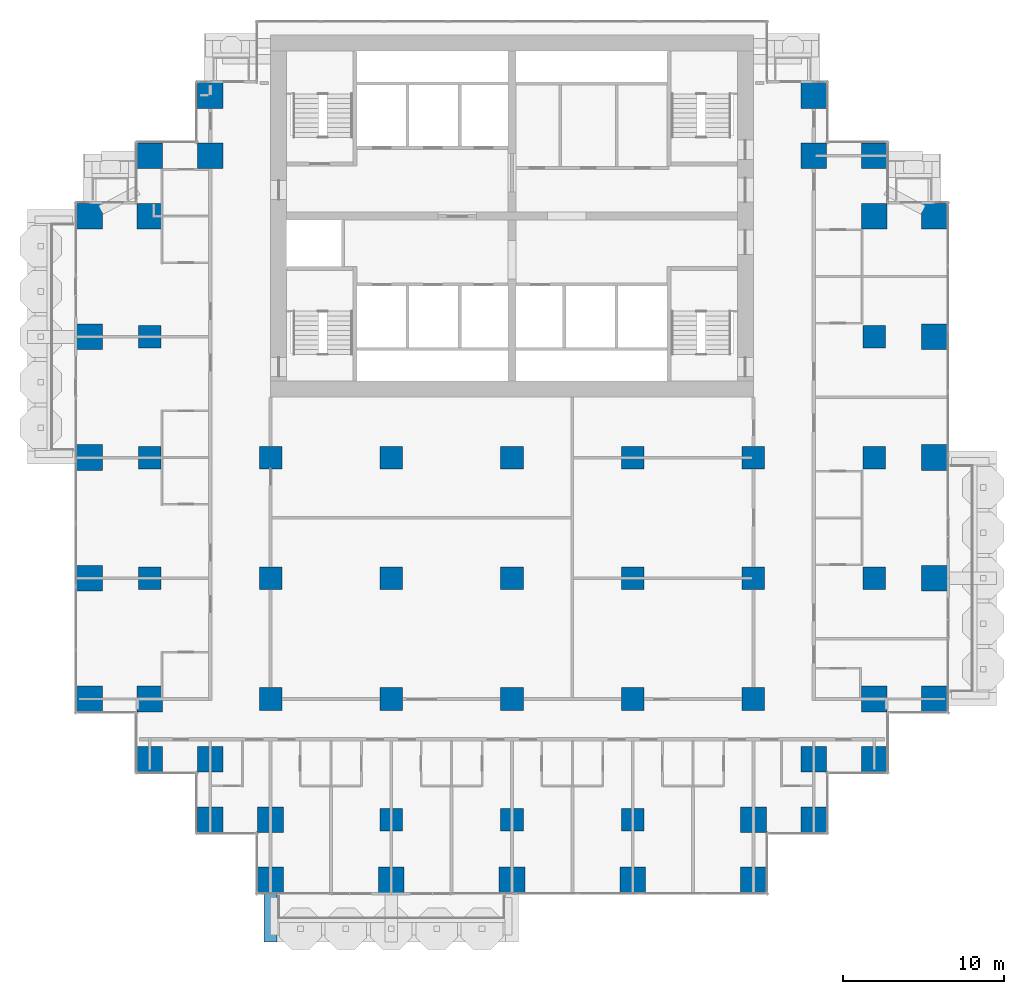
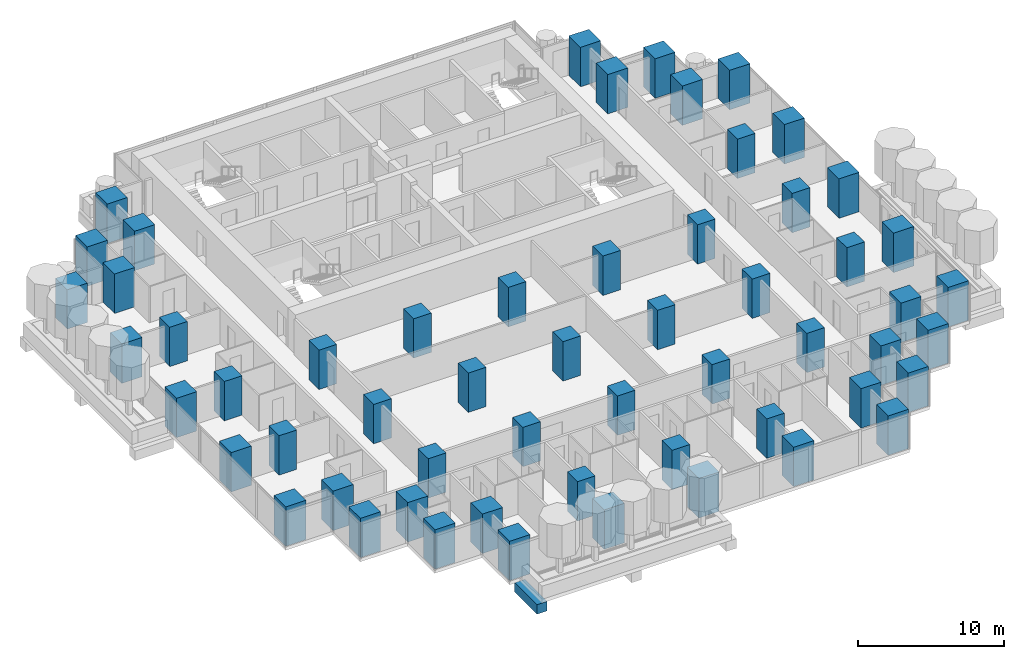
# One storey, part 1 of 17: 57 columns, 1 beam.
"""IFC4 building model written with IfcOpenShell, lengths in metres."""

from ifc_helpers import new_model, si_unit, direction, frame, origin, origin_2d, place, context, subcontext, project, spatial, rectangle, extrude, material, material_profile, profile_set, type_object, element, save


model = new_model("IFC4")

# Units and contexts
model_context = context("Model", 3, precision=1e-05, world=origin(), true_north=direction((0.0, 1.0)))
body_context = subcontext(model_context, "Body", "Model", "MODEL_VIEW")
ifc_project = project(units=[si_unit("LENGTHUNIT", "METRE"), si_unit("AREAUNIT", "SQUARE_METRE"), si_unit("VOLUMEUNIT", "CUBIC_METRE"), si_unit("PLANEANGLEUNIT", "RADIAN"), si_unit("MASSUNIT", "GRAM", prefix="KILO")], contexts=[model_context])

# Site, building, storey
site_placement = place(None, origin())
site = spatial("IfcSite", under=ifc_project, at=site_placement, CompositionType="ELEMENT")
building_placement = place(site_placement, origin())
building = spatial("IfcBuilding", under=site, at=building_placement, Name="Pilkhan Gate Tower", CompositionType="ELEMENT")
storey_placement = place(building_placement, frame((0.0, 0.0, 49.39990234375)))
storey = spatial("IfcBuildingStorey", under=building, at=storey_placement, Name="L09", CompositionType="ELEMENT", Elevation=49.39990234375)

# Columns
ifc_material_1 = material(Name="Concrete C70/85", Category="concrete")
ifc_material_profile_1 = material_profile(ifc_material_1, rectangle(XDim=1.39990234375, YDim=1.39990234375, at=origin_2d()), Name="RC 1400x1400")
ifc_profile_set_1 = profile_set([ifc_material_profile_1], Name="Concrete C70/85")
column_type_1 = type_object("IfcColumnType", Name="Column C140 RC 1400x1400 C70/85", PredefinedType="COLUMN", material=ifc_profile_set_1)
for number, where, z_axis, x_axis, name in (
    (1, (52.5, 60.0, 0.0), (0.0, 0.0, 1.0), (1.0, 0.0, 0.0), "Column 5/F L09"),
    (2, (52.5, 67.5, 0.0), (0.0, 0.0, 1.0), (1.0, 0.0, 0.0), "Column 5/H L09"),
    (3, (52.5, 75.0, 0.0), (0.0, 0.0, 1.0), (1.0, 0.0, 0.0), "Column 5/K L09"),
    (4, (60.0, 52.5, 0.0), (0.0, 0.0, 1.0), (1.0, 0.0, 0.0), "Column 7/D L09"),
    (5, (60.0, 60.0, 0.0), (0.0, 0.0, 1.0), (1.0, 0.0, 0.0), "Column 7/F L09"),
    (6, (60.0, 67.5, 0.0), (0.0, 0.0, 1.0), (1.0, 0.0, 0.0), "Column 7/H L09"),
    (7, (67.5, 45.0, 0.0), (0.0, 0.0, 1.0), (1.0, 0.0, 0.0), "Column 9/B L09"),
    (8, (67.5, 52.5, 0.0), (0.0, 0.0, 1.0), (1.0, 0.0, 0.0), "Column 9/D L09"),
    (9, (67.5, 60.0, 0.0), (0.0, 0.0, 1.0), (1.0, 0.0, 0.0), "Column 9/F L09"),
    (10, (67.5, 67.5, 0.0), (0.0, 0.0, 1.0), (1.0, 0.0, 0.0), "Column 9/H L09"),
    (11, (75.0, 45.0, 0.0), (0.0, 0.0, 1.0), (1.0, 0.0, 0.0), "Column 11/B L09"),
    (12, (75.0, 52.5, 0.0), (0.0, 0.0, 1.0), (1.0, 0.0, 0.0), "Column 11/D L09"),
    (13, (75.0, 60.0, 0.0), (0.0, 0.0, 1.0), (1.0, 0.0, 0.0), "Column 11/F L09"),
    (14, (75.0, 67.5, 0.0), (0.0, 0.0, 1.0), (1.0, 0.0, 0.0), "Column 11/H L09"),
    (15, (82.5, 45.0, 0.0), (0.0, 0.0, 1.0), (1.0, 0.0, 0.0), "Column 13/B L09"),
    (16, (82.5, 52.5, 0.0), (0.0, 0.0, 1.0), (1.0, 0.0, 0.0), "Column 13/D L09"),
    (17, (82.5, 60.0, 0.0), (0.0, 0.0, 1.0), (1.0, 0.0, 0.0), "Column 13/F L09"),
    (18, (82.5, 67.5, 0.0), (0.0, 0.0, 1.0), (1.0, 0.0, 0.0), "Column 13/H L09"),
    (19, (90.0, 52.5, 0.0), (0.0, 0.0, 1.0), (1.0, 0.0, 0.0), "Column 15/D L09"),
    (20, (90.0, 60.0, 0.0), (0.0, 0.0, 1.0), (1.0, 0.0, 0.0), "Column 15/F L09"),
    (21, (90.0, 67.5, 0.0), (0.0, 0.0, 1.0), (1.0, 0.0, 0.0), "Column 15/H L09"),
    (22, (97.5, 60.0, 0.0), (0.0, 0.0, 1.0), (1.0, 0.0, 0.0), "Column 17/F L09"),
    (23, (97.5, 67.5, 0.0), (0.0, 0.0, 1.0), (1.0, 0.0, 0.0), "Column 17/H L09"),
    (24, (97.5, 75.0, 0.0), (0.0, 0.0, 1.0), (1.0, 0.0, 0.0), "Column 17/K L09"),
):
    element("IfcColumn", number, at=place(storey_placement, frame(where, z_axis=z_axis, x_axis=x_axis)), inside=storey, type_object=column_type_1, Name=name, PredefinedType="COLUMN", context=body_context, shape_type="SweptSolid", body=[
        extrude(rectangle(XDim=1.39990234375, YDim=1.39990234375, at=origin_2d()), origin(), (0.0, 0.0, 1.0), 3.300048828125),
    ])
ifc_material_profile_2 = material_profile(ifc_material_1, rectangle(XDim=1.60009765625, YDim=1.60009765625, at=origin_2d()), Name="RC 1600x1600")
ifc_profile_set_2 = profile_set([ifc_material_profile_2], Name="Concrete C70/85")
column_type_2 = type_object("IfcColumnType", Name="Column C160 RC 1600x1600 C70/85", PredefinedType="COLUMN", material=ifc_profile_set_2)
for number, where, z_axis, x_axis, name in (
    (25, (48.75, 52.5, 0.0), (0.0, 0.0, 1.0), (1.0, 0.0, 0.0), "Column 4/D L09"),
    (26, (48.75, 60.0, 0.0), (0.0, 0.0, 1.0), (1.0, 0.0, 0.0), "Column 4/F L09"),
    (27, (48.75, 67.5, 0.0), (0.0, 0.0, 1.0), (1.0, 0.0, 0.0), "Column 4/H L09"),
    (28, (48.75, 75.0, 0.0), (0.0, 0.0, 1.0), (1.0, 0.0, 0.0), "Column 4/K L09"),
    (29, (48.75, 82.5, 0.0), (0.0, 0.0, 1.0), (1.0, 0.0, 0.0), "Column 4/M L09"),
    (30, (52.5, 48.75, 0.0), (0.0, 0.0, 1.0), (1.0, 0.0, 0.0), "Column 5/C L09"),
    (31, (52.5, 52.5, 0.0), (0.0, 0.0, 1.0), (1.0, 0.0, 0.0), "Column 5/D L09"),
    (32, (52.5, 82.5, 0.0), (0.0, 0.0, 1.0), (1.0, 0.0, 0.0), "Column 5/M L09"),
    (33, (52.5, 86.25, 0.0), (0.0, 0.0, 1.0), (1.0, 0.0, 0.0), "Column 5/N L09"),
    (34, (56.25, 45.0, 0.0), (0.0, 0.0, 1.0), (1.0, 0.0, 0.0), "Column 6/B L09"),
    (35, (56.25, 48.75, 0.0), (0.0, 0.0, 1.0), (1.0, 0.0, 0.0), "Column 6/C L09"),
    (36, (56.25, 86.25, 0.0), (0.0, 0.0, 1.0), (1.0, 0.0, 0.0), "Column 6/N L09"),
    (37, (56.25, 90.0, 0.0), (0.0, 0.0, 1.0), (1.0, 0.0, 0.0), "Column 6/P L09"),
    (38, (60.0, 41.25, 0.0), (0.0, 0.0, 1.0), (1.0, 0.0, 0.0), "Column 7/A L09"),
    (39, (60.0, 45.0, 0.0), (0.0, 0.0, 1.0), (1.0, 0.0, 0.0), "Column 7/B L09"),
    (40, (67.5, 41.25, 0.0), (0.0, 0.0, 1.0), (1.0, 0.0, 0.0), "Column 9/A L09"),
    (41, (75.0, 41.25, 0.0), (0.0, 0.0, 1.0), (1.0, 0.0, 0.0), "Column 11/A L09"),
    (42, (82.5, 41.25, 0.0), (0.0, 0.0, 1.0), (1.0, 0.0, 0.0), "Column 13/A L09"),
    (43, (90.0, 41.25, 0.0), (0.0, 0.0, 1.0), (1.0, 0.0, 0.0), "Column 15/A L09"),
    (44, (90.0, 45.0, 0.0), (0.0, 0.0, 1.0), (1.0, 0.0, 0.0), "Column 15/B L09"),
    (45, (93.75, 45.0, 0.0), (0.0, 0.0, 1.0), (1.0, 0.0, 0.0), "Column 16/B L09"),
    (46, (93.75, 48.75, 0.0), (0.0, 0.0, 1.0), (1.0, 0.0, 0.0), "Column 16/C L09"),
    (47, (93.75, 86.25, 0.0), (0.0, 0.0, 1.0), (1.0, 0.0, 0.0), "Column 16/N L09"),
    (48, (93.75, 90.0, 0.0), (0.0, 0.0, 1.0), (1.0, 0.0, 0.0), "Column 16/P L09"),
    (49, (97.5, 48.75, 0.0), (0.0, 0.0, 1.0), (1.0, 0.0, 0.0), "Column 17/C L09"),
    (50, (97.5, 52.5, 0.0), (0.0, 0.0, 1.0), (1.0, 0.0, 0.0), "Column 17/D L09"),
    (51, (97.5, 82.5, 0.0), (0.0, 0.0, 1.0), (1.0, 0.0, 0.0), "Column 17/M L09"),
    (52, (97.5, 86.25, 0.0), (0.0, 0.0, 1.0), (1.0, 0.0, 0.0), "Column 17/N L09"),
    (53, (101.25, 52.5, 0.0), (0.0, 0.0, 1.0), (1.0, 0.0, 0.0), "Column 18/D L09"),
    (54, (101.25, 60.0, 0.0), (0.0, 0.0, 1.0), (1.0, 0.0, 0.0), "Column 18/F L09"),
    (55, (101.25, 67.5, 0.0), (0.0, 0.0, 1.0), (1.0, 0.0, 0.0), "Column 18/H L09"),
    (56, (101.25, 75.0, 0.0), (0.0, 0.0, 1.0), (1.0, 0.0, 0.0), "Column 18/K L09"),
    (57, (101.25, 82.5, 0.0), (0.0, 0.0, 1.0), (1.0, 0.0, 0.0), "Column 18/M L09"),
):
    element("IfcColumn", number, at=place(storey_placement, frame(where, z_axis=z_axis, x_axis=x_axis)), inside=storey, type_object=column_type_2, Name=name, PredefinedType="COLUMN", context=body_context, shape_type="SweptSolid", body=[
        extrude(rectangle(XDim=1.60009765625, YDim=1.60009765625, at=origin_2d()), origin(), (0.0, 0.0, 1.0), 3.300048828125),
    ])

# Beam
ifc_material_2 = material(Name="Concrete C50/60", Category="concrete")
ifc_material_profile_3 = material_profile(ifc_material_2, rectangle(XDim=0.800048828125, YDim=0.800048828125, at=origin_2d()), Name="RC 800x800")
ifc_profile_set_3 = profile_set([ifc_material_profile_3], Name="Concrete C50/60")
beam_type = type_object("IfcBeamType", Name="Cantilever beam CB2 RC 800x800 C50/60", PredefinedType="BEAM", material=ifc_profile_set_3)
beam_placement = place(storey_placement, frame((60.0, 40.449951171875, -0.699951171875), z_axis=(0.0, -1.0, 0.0), x_axis=(1.0, 0.0, 0.0)))
element("IfcBeam", 58, at=beam_placement, inside=storey, type_object=beam_type, Name="Balcony beam S.1 L09", PredefinedType="BEAM", context=body_context, shape_type="SweptSolid", body=[
    extrude(rectangle(XDim=0.800048828125, YDim=0.800048828125, at=origin_2d()), origin(), (0.0, 0.0, 1.0), 3.050048828125),
])

save(model, "model.ifc")
